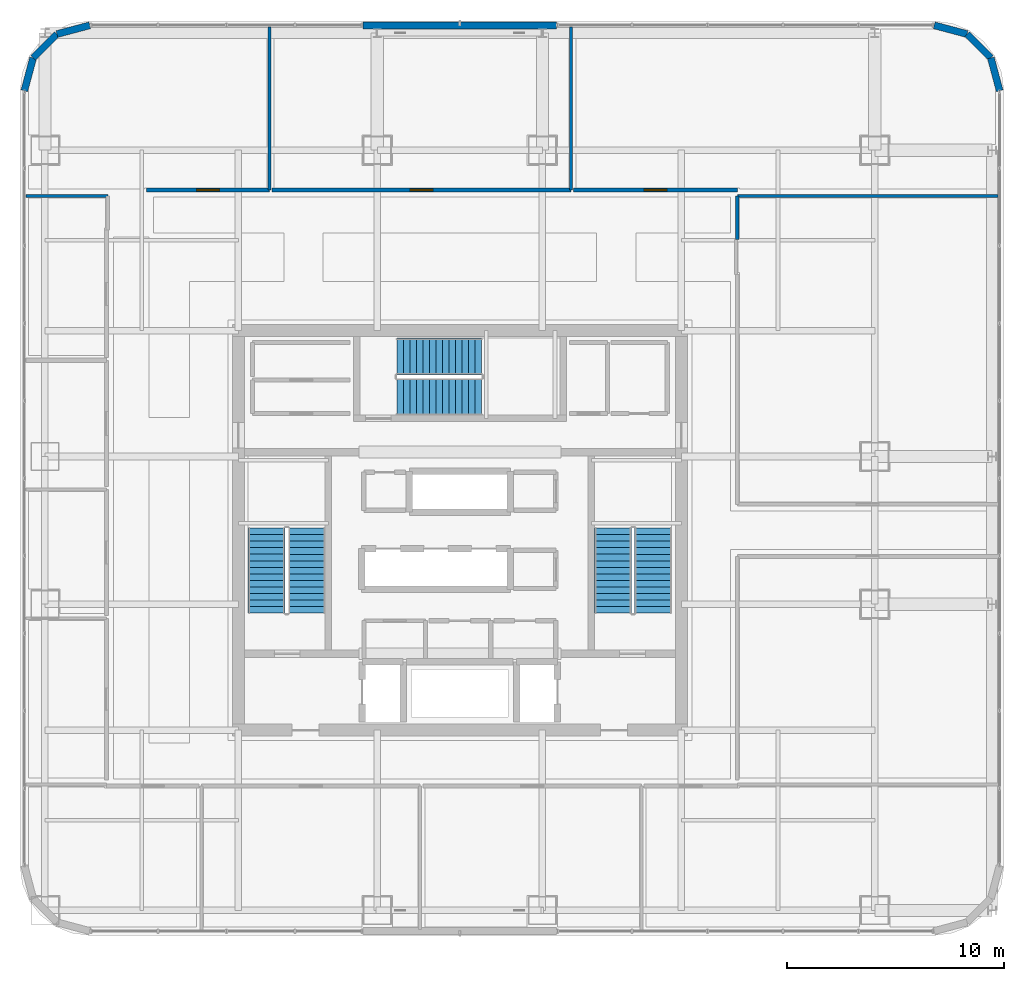
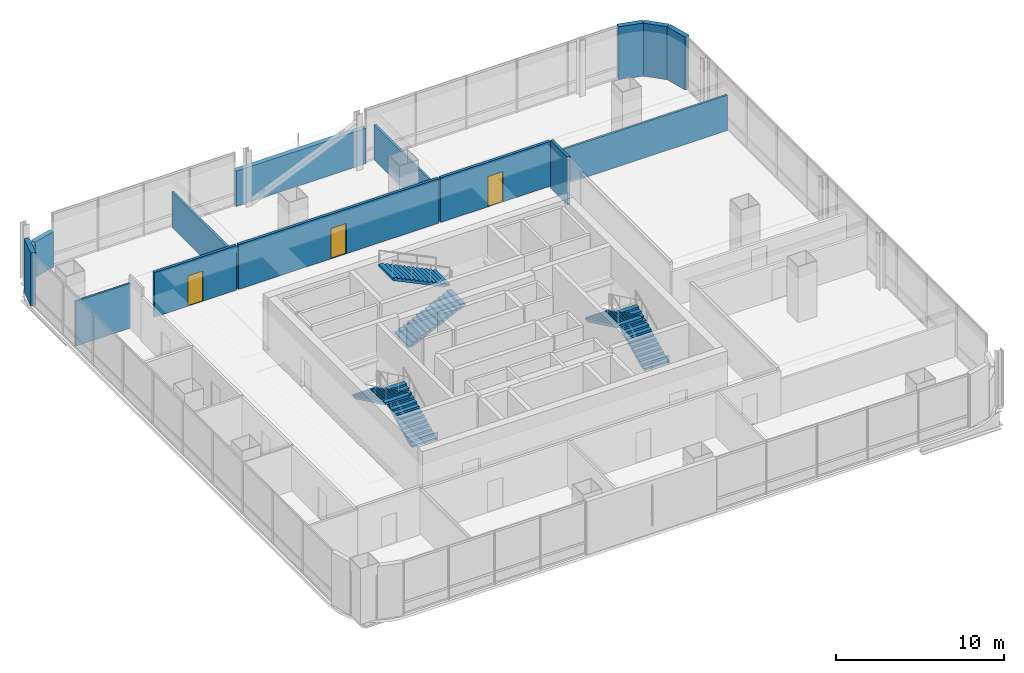
# One storey, part 34 of 44: 15 walls, 6 stair flights, 3 doors, 3 openings, 3 elements without a shape of their own.
"""IFC4 building model written with IfcOpenShell, lengths in metres."""

from ifc_helpers import new_model, si_unit, direction, frame, frame_2d, origin, place, context, subcontext, project, spatial, polyline, rectangle, outline, extrude, material, layer, layer_set, type_object, element, fill, aggregate, save


model = new_model("IFC4")

# Units and contexts
model_context = context("Model", 3, precision=1e-05, world=origin(), true_north=direction((0.0, 1.0)))
body_context = subcontext(model_context, "Body", "Model", "MODEL_VIEW")
ifc_project = project(units=[si_unit("LENGTHUNIT", "METRE"), si_unit("AREAUNIT", "SQUARE_METRE"), si_unit("VOLUMEUNIT", "CUBIC_METRE"), si_unit("PLANEANGLEUNIT", "RADIAN"), si_unit("MASSUNIT", "GRAM", prefix="KILO")], contexts=[model_context])

# Site, building, storey
site_placement = place(None, origin())
site = spatial("IfcSite", under=ifc_project, at=site_placement, CompositionType="ELEMENT")
building_placement = place(site_placement, origin())
building = spatial("IfcBuilding", under=site, at=building_placement, Name="Punatoya Terracotta Tower", CompositionType="ELEMENT")
storey_placement = place(building_placement, frame((0.0, 0.0, 267.60009765625)))
storey = spatial("IfcBuildingStorey", under=building, at=storey_placement, Name="L63", CompositionType="ELEMENT", Elevation=267.60009765625)

# Wall
ifc_material_1 = material(Name="Gypsum Fireboard + Steel Stud", Category="steel")
ifc_layer_1 = layer(ifc_material_1, 0.179931640625)
ifc_layer_set_1 = layer_set([ifc_layer_1], Name="Gypsum Fireboard + Steel Stud")
wall_type_1 = type_object("IfcWallType", Name="WL-CORR-180", PredefinedType="PARTITIONING", material=ifc_layer_set_1)
wall_1_placement = place(storey_placement, frame((12.77001953125, 13.3798828125, 0.0), z_axis=(0.0, 0.0, 1.0), x_axis=(0.0, 1.0, 0.0)))
element("IfcWall", 1, at=wall_1_placement, inside=storey, type_object=wall_type_1, Name="L63 Hydrology Modelling Laboratory Partition 48", PredefinedType="PARTITIONING", context=body_context, shape_type="SweptSolid", body=[
    extrude(rectangle(XDim=2.010009765625, YDim=0.179931640625, at=frame_2d((1.0048828125, 0.0))), origin(), (0.0, 0.0, 1.0), 3.48388671875),
])

# Wall, opening, door
wall_2_placement = place(storey_placement, frame((-8.77197265625, 15.669921875, 0.0), z_axis=(0.0, 0.0, 1.0), x_axis=(-1.0, 0.0, 0.0)))
wall_2 = element("IfcWall", 2, at=wall_2_placement, inside=storey, type_object=wall_type_1, Name="L63 Open-Plan Computational Simulation Laboratory Partition 54", PredefinedType="PARTITIONING", context=body_context, shape_type="SweptSolid", body=[
    extrude(rectangle(XDim=5.64794921875, YDim=0.179931640625, at=frame_2d((2.823974609375, 0.0))), origin(), (0.0, 0.0, 1.0), 3.243896484375),
])
opening_1_placement = place(wall_2_placement, frame((2.299072265625, 0.0, 0.0)))
opening_1 = element("IfcOpeningElement", 3, at=opening_1_placement, cuts=wall_2, Name="Opening OD-01", PredefinedType="OPENING", context=body_context, shape_type="SweptSolid", body=[
    extrude(rectangle(XDim=1.050048828125, YDim=2.199951171875, at=frame_2d((0.52490234375, 1.10009765625))), frame((0.0, 0.099853515625, 0.0), z_axis=(0.0, -1.0, 0.0), x_axis=(1.0, 0.0, 0.0)), (0.0, 0.0, 1.0), 0.199951171875),
])
ifc_material_2 = material(Name="Bengal Teak Solid-Core Leaf")
door_type = type_object("IfcDoorType", Name="DR-OFF-1050", OperationType="NOTDEFINED", PredefinedType="DOOR", material=ifc_material_2)
door_1_placement = place(opening_1_placement, origin())
door_1 = element("IfcDoor", 4, at=door_1_placement, inside=storey, type_object=door_type, Name="L63 Open-Plan Computational Simulation Laboratory Door", OperationType="SINGLE_SWING_LEFT", OverallHeight=2.199951171875, OverallWidth=1.050048828125, PredefinedType="DOOR", context=body_context, shape_type="SweptSolid", body=[
    extrude(rectangle(XDim=1.050048828125, YDim=2.199951171875, at=frame_2d((0.52490234375, 1.10009765625))), frame((0.0, 0.02490234375, 0.0), z_axis=(0.0, -1.0, 0.0), x_axis=(1.0, 0.0, 0.0)), (0.0, 0.0, 1.0), 0.050048828125),
])
fill(opening_1, door_1)

wall_3_placement = place(storey_placement, frame((5.117919921875, 15.669921875, 0.0), z_axis=(0.0, 0.0, 1.0), x_axis=(-1.0, 0.0, 0.0)))
wall_3 = element("IfcWall", 5, at=wall_3_placement, inside=storey, type_object=wall_type_1, Name="L63 Open-Plan Cartography Reference Library Partition 56", PredefinedType="PARTITIONING", context=body_context, shape_type="SweptSolid", body=[
    extrude(rectangle(XDim=13.77001953125, YDim=0.179931640625, at=frame_2d((6.885009765625, 0.0))), origin(), (0.0, 0.0, 1.0), 3.243896484375),
])
opening_2_placement = place(wall_3_placement, frame((6.360107421875, 0.0, 0.0)))
opening_2 = element("IfcOpeningElement", 6, at=opening_2_placement, cuts=wall_3, Name="Opening OD-01", PredefinedType="OPENING", context=body_context, shape_type="SweptSolid", body=[
    extrude(rectangle(XDim=1.050048828125, YDim=2.199951171875, at=frame_2d((0.52490234375, 1.10009765625))), frame((0.0, 0.099853515625, 0.0), z_axis=(0.0, -1.0, 0.0), x_axis=(1.0, 0.0, 0.0)), (0.0, 0.0, 1.0), 0.199951171875),
])
door_2_placement = place(opening_2_placement, origin())
door_2 = element("IfcDoor", 7, at=door_2_placement, inside=storey, type_object=door_type, Name="L63 Open-Plan Cartography Reference Library Door", OperationType="SINGLE_SWING_RIGHT", OverallHeight=2.199951171875, OverallWidth=1.050048828125, PredefinedType="DOOR", context=body_context, shape_type="SweptSolid", body=[
    extrude(rectangle(XDim=1.050048828125, YDim=2.199951171875, at=frame_2d((0.52490234375, 1.10009765625))), frame((0.0, 0.02490234375, 0.0), z_axis=(0.0, -1.0, 0.0), x_axis=(1.0, 0.0, 0.0)), (0.0, 0.0, 1.0), 0.050048828125),
])
fill(opening_2, door_2)

wall_4_placement = place(storey_placement, frame((12.77001953125, 15.669921875, 0.0), z_axis=(0.0, 0.0, 1.0), x_axis=(-1.0, 0.0, 0.0)))
wall_4 = element("IfcWall", 8, at=wall_4_placement, inside=storey, type_object=wall_type_1, Name="L63 Open-Plan Materials Testing Laboratory Partition 57", PredefinedType="PARTITIONING", context=body_context, shape_type="SweptSolid", body=[
    extrude(rectangle(XDim=7.531982421875, YDim=0.179931640625, at=frame_2d((3.76611328125, 0.0))), origin(), (0.0, 0.0, 1.0), 3.243896484375),
])
opening_3_placement = place(wall_4_placement, frame((3.240966796875, 0.0, 0.0)))
opening_3 = element("IfcOpeningElement", 9, at=opening_3_placement, cuts=wall_4, Name="Opening OD-01", PredefinedType="OPENING", context=body_context, shape_type="SweptSolid", body=[
    extrude(rectangle(XDim=1.050048828125, YDim=2.199951171875, at=frame_2d((0.52490234375, 1.10009765625))), frame((0.0, 0.099853515625, 0.0), z_axis=(0.0, -1.0, 0.0), x_axis=(1.0, 0.0, 0.0)), (0.0, 0.0, 1.0), 0.199951171875),
])
door_3_placement = place(opening_3_placement, origin())
door_3 = element("IfcDoor", 10, at=door_3_placement, inside=storey, type_object=door_type, Name="L63 Open-Plan Materials Testing Laboratory Door", OperationType="SINGLE_SWING_LEFT", OverallHeight=2.199951171875, OverallWidth=1.050048828125, PredefinedType="DOOR", context=body_context, shape_type="SweptSolid", body=[
    extrude(rectangle(XDim=1.050048828125, YDim=2.199951171875, at=frame_2d((0.52490234375, 1.10009765625))), frame((0.0, 0.02490234375, 0.0), z_axis=(0.0, -1.0, 0.0), x_axis=(1.0, 0.0, 0.0)), (0.0, 0.0, 1.0), 0.050048828125),
])
fill(opening_3, door_3)

# Walls
ifc_material_3 = material(Name="Precast concrete C40/50", Category="concrete")
ifc_layer_2 = layer(ifc_material_3, 0.320068359375)
ifc_layer_set_2 = layer_set([ifc_layer_2], Name="Precast concrete C40/50")
wall_type_2 = type_object("IfcWallType", Name="WL-EXT-320", PredefinedType="SOLIDWALL", material=ifc_layer_set_2)
wall_5_placement = place(storey_placement, frame((24.85009765625, 20.23681640625, 0.0), z_axis=(0.0, 0.0, 1.0), x_axis=(-0.257847112249, 0.966185730957, 0.0)))
element("IfcWall", 11, at=wall_5_placement, inside=storey, type_object=wall_type_2, Name="L63 Rounded Terracotta Corner Pier 06", PredefinedType="SOLIDWALL", context=body_context, shape_type="SweptSolid", body=[
    extrude(rectangle(XDim=1.565185546875, YDim=0.320068359375, at=frame_2d((0.78271484375, 0.0))), origin(), (0.0, 0.0, 1.0), 3.849853515625),
])
wall_6_placement = place(storey_placement, frame((24.446533203125, 21.7490234375, 0.0), z_axis=(0.0, 0.0, 1.0), x_axis=(-0.707028130747, 0.707185422879, 0.0)))
element("IfcWall", 12, at=wall_6_placement, inside=storey, type_object=wall_type_2, Name="L63 Rounded Terracotta Corner Pier 07", PredefinedType="SOLIDWALL", context=body_context, shape_type="SweptSolid", body=[
    extrude(rectangle(XDim=1.55224609375, YDim=0.320068359375, at=frame_2d((0.776123046875, 0.0))), origin(), (0.0, 0.0, 1.0), 3.849853515625),
])
wall_7_placement = place(storey_placement, frame((23.34912109375, 22.8466796875, 0.0), z_axis=(0.0, 0.0, 1.0), x_axis=(-0.966224582397, 0.257701486942, 0.0)))
element("IfcWall", 13, at=wall_7_placement, inside=storey, type_object=wall_type_2, Name="L63 Rounded Terracotta Corner Pier 08", PredefinedType="SOLIDWALL", context=body_context, shape_type="SweptSolid", body=[
    extrude(rectangle(XDim=1.565185546875, YDim=0.320068359375, at=frame_2d((0.78271484375, 0.0))), origin(), (0.0, 0.0, 1.0), 3.849853515625),
])
wall_8_placement = place(storey_placement, frame((4.449951171875, 23.25, 0.0), z_axis=(0.0, 0.0, 1.0), x_axis=(-1.0, 0.0, 0.0)))
element("IfcWall", 14, at=wall_8_placement, inside=storey, type_object=wall_type_2, Name="L63 Terracotta Braced Facade Wall N1", PredefinedType="SOLIDWALL", context=body_context, shape_type="SweptSolid", body=[
    extrude(rectangle(XDim=8.89990234375, YDim=0.320068359375, at=frame_2d((4.449951171875, 0.0))), origin(), (0.0, 0.0, 1.0), 2.56396484375),
])
wall_9_placement = place(storey_placement, frame((-17.036865234375, 23.25, 0.0), z_axis=(0.0, 0.0, 1.0), x_axis=(-0.966224582397, -0.257701486942, 0.0)))
element("IfcWall", 15, at=wall_9_placement, inside=storey, type_object=wall_type_2, Name="L63 Rounded Terracotta Corner Pier 10", PredefinedType="SOLIDWALL", context=body_context, shape_type="SweptSolid", body=[
    extrude(rectangle(XDim=1.565185546875, YDim=0.320068359375, at=frame_2d((0.78271484375, 0.0))), origin(), (0.0, 0.0, 1.0), 2.56396484375),
])
wall_10_placement = place(storey_placement, frame((-18.549072265625, 22.8466796875, 0.0), z_axis=(0.0, 0.0, 1.0), x_axis=(-0.707028130747, -0.707185422879, 0.0)))
element("IfcWall", 16, at=wall_10_placement, inside=storey, type_object=wall_type_2, Name="L63 Rounded Terracotta Corner Pier 11", PredefinedType="SOLIDWALL", context=body_context, shape_type="SweptSolid", body=[
    extrude(rectangle(XDim=1.55224609375, YDim=0.320068359375, at=frame_2d((0.776123046875, 0.0))), origin(), (0.0, 0.0, 1.0), 2.52392578125),
])
wall_11_placement = place(storey_placement, frame((-19.646484375, 21.7490234375, 0.0), z_axis=(0.0, 0.0, 1.0), x_axis=(-0.257847112249, -0.966185730957, 0.0)))
element("IfcWall", 17, at=wall_11_placement, inside=storey, type_object=wall_type_2, Name="L63 Rounded Terracotta Corner Pier 12", PredefinedType="SOLIDWALL", context=body_context, shape_type="SweptSolid", body=[
    extrude(rectangle(XDim=1.565185546875, YDim=0.320068359375, at=frame_2d((0.78271484375, 0.0))), origin(), (0.0, 0.0, 1.0), 3.849853515625),
])
ifc_material_4 = material(Name="Acoustic Gypsum + Steel Stud", Category="steel")
ifc_layer_3 = layer(ifc_material_4, 0.139892578125)
ifc_layer_set_3 = layer_set([ifc_layer_3], Name="Acoustic Gypsum + Steel Stud")
wall_type_3 = type_object("IfcWallType", Name="WL-OFF-140", PredefinedType="PARTITIONING", material=ifc_layer_set_3)
wall_12_placement = place(storey_placement, frame((12.77001953125, 15.389892578125, 0.0), z_axis=(0.0, 0.0, 1.0), x_axis=(1.0, 0.0, 0.0)))
element("IfcWall", 18, at=wall_12_placement, inside=storey, type_object=wall_type_3, Name="L63 Hydrology Modelling Laboratory Partition 49", PredefinedType="PARTITIONING", context=body_context, shape_type="SweptSolid", body=[
    extrude(rectangle(XDim=12.0, YDim=0.139892578125, at=frame_2d((6.0, 0.0))), origin(), (0.0, 0.0, 1.0), 2.56396484375),
])
wall_13_placement = place(storey_placement, frame((-19.969970703125, 15.389892578125, 0.0), z_axis=(0.0, 0.0, 1.0), x_axis=(1.0, 0.0, 0.0)))
element("IfcWall", 19, at=wall_13_placement, inside=storey, type_object=wall_type_3, Name="L63 Urban Analytics Laboratory Partition 50", PredefinedType="PARTITIONING", context=body_context, shape_type="SweptSolid", body=[
    extrude(rectangle(XDim=3.760009765625, YDim=0.139892578125, at=frame_2d((1.8798828125, 0.0))), origin(), (0.0, 0.0, 1.0), 3.243896484375),
])
for number, where, z_axis, x_axis, name in (
    (20, (-8.77197265625, 23.169921875, 0.0), (0.0, 0.0, 1.0), (0.0, -1.0, 0.0), "L63 Open-Plan Computational Simulation Laboratory Partition 53"),
    (21, (5.117919921875, 23.169921875, 0.0), (0.0, 0.0, 1.0), (0.0, -1.0, 0.0), "L63 Open-Plan Cartography Reference Library Partition 55"),
):
    element("IfcWall", number, at=place(storey_placement, frame(where, z_axis=z_axis, x_axis=x_axis)), inside=storey, type_object=wall_type_3, Name=name, PredefinedType="PARTITIONING", context=body_context, shape_type="SweptSolid", body=[
        extrude(rectangle(XDim=7.5, YDim=0.139892578125, at=frame_2d((3.75, 0.0))), origin(), (0.0, 0.0, 1.0), 2.56396484375),
    ])

# Stair, stair flights
ifc_material_5 = material(Name="Concrete C40/50", Category="concrete")
stair_type_1 = type_object("IfcStairType", Name="STR-CORE-1550", PredefinedType="HALF_TURN_STAIR", material=ifc_material_5)
stair_1_placement = place(storey_placement, origin())
stair_1 = element("IfcStair", 22, at=stair_1_placement, inside=storey, type_object=stair_type_1, Name="L63 Protected Core Exit Stair ST-1", PredefinedType="HALF_TURN_STAIR")
stair_flight_type_1 = type_object("IfcStairFlightType", Name="SFL-CORE-1550", PredefinedType="STRAIGHT", material=ifc_material_5)
stair_flight_1_placement = place(storey_placement, frame((-7.050048828125, -3.800048828125, 0.0), z_axis=(0.0, 0.0, 1.0), x_axis=(0.0, 1.0, 0.0)))
stair_flight_1 = element("IfcStairFlight", 23, at=stair_flight_1_placement, type_object=stair_flight_type_1, Name="ST-1 flight 1", NumberOfRisers=14, NumberOfTreads=13, PredefinedType="STRAIGHT", RiserHeight=0.144642857, TreadLength=0.3, context=body_context, shape_type="SweptSolid", body=[
    extrude(outline(polyline([(0.0, 0.0), (0.0, 0.14453125), (0.300048828125, 0.14453125), (0.300048828125, 0.289306640625), (0.60009765625, 0.289306640625), (0.60009765625, 0.433837890625), (0.89990234375, 0.433837890625), (0.89990234375, 0.57861328125), (1.199951171875, 0.57861328125), (1.199951171875, 0.72314453125), (1.5, 0.72314453125), (1.5, 0.867919921875), (1.800048828125, 0.867919921875), (1.800048828125, 1.012451171875), (2.10009765625, 1.012451171875), (2.10009765625, 1.1572265625), (2.39990234375, 1.1572265625), (2.39990234375, 1.3017578125), (2.699951171875, 1.3017578125), (2.699951171875, 1.446533203125), (3.0, 1.446533203125), (3.0, 1.591064453125), (3.300048828125, 1.591064453125), (3.300048828125, 1.735595703125), (3.60009765625, 1.735595703125), (3.60009765625, 1.88037109375), (3.89990234375, 1.88037109375), (3.89990234375, 2.02490234375), (3.89990234375, 1.7138671875), (0.34521484375, 0.0), (0.0, 0.0)])), frame((0.0, 0.85009765625, 0.0), z_axis=(0.0, -1.0, 0.0), x_axis=(1.0, 0.0, 0.0)), (0.0, 0.0, 1.0), 1.699951171875),
])
stair_flight_2_placement = place(storey_placement, frame((-8.89990234375, 0.10009765625, 2.02490234375), z_axis=(0.0, 0.0, 1.0), x_axis=(0.0, -1.0, 0.0)))
stair_flight_2 = element("IfcStairFlight", 24, at=stair_flight_2_placement, type_object=stair_flight_type_1, Name="ST-1 flight 2", NumberOfRisers=14, NumberOfTreads=13, PredefinedType="STRAIGHT", RiserHeight=0.144642857, TreadLength=0.3, context=body_context, shape_type="SweptSolid", body=[
    extrude(outline(polyline([(0.0, 0.0), (0.0, 0.14453125), (0.300048828125, 0.14453125), (0.300048828125, 0.289306640625), (0.60009765625, 0.289306640625), (0.60009765625, 0.433837890625), (0.89990234375, 0.433837890625), (0.89990234375, 0.57861328125), (1.199951171875, 0.57861328125), (1.199951171875, 0.72314453125), (1.5, 0.72314453125), (1.5, 0.867919921875), (1.800048828125, 0.867919921875), (1.800048828125, 1.012451171875), (2.10009765625, 1.012451171875), (2.10009765625, 1.1572265625), (2.39990234375, 1.1572265625), (2.39990234375, 1.3017578125), (2.699951171875, 1.3017578125), (2.699951171875, 1.446533203125), (3.0, 1.446533203125), (3.0, 1.591064453125), (3.300048828125, 1.591064453125), (3.300048828125, 1.735595703125), (3.60009765625, 1.735595703125), (3.60009765625, 1.88037109375), (3.89990234375, 1.88037109375), (3.89990234375, 2.02490234375), (3.89990234375, 1.7138671875), (0.34521484375, 0.0), (0.0, 0.0)])), frame((0.0, 0.85009765625, 0.0), z_axis=(0.0, -1.0, 0.0), x_axis=(1.0, 0.0, 0.0)), (0.0, 0.0, 1.0), 1.699951171875),
])
aggregate(stair_1, [stair_flight_1, stair_flight_2])

stair_type_2 = type_object("IfcStairType", Name="STR-LOB-1650", PredefinedType="HALF_TURN_STAIR", material=ifc_material_5)
stair_2_placement = place(storey_placement, origin())
stair_2 = element("IfcStair", 25, at=stair_2_placement, inside=storey, type_object=stair_type_2, Name="L63 Protected Core Exit Stair ST-2", PredefinedType="HALF_TURN_STAIR")
stair_flight_type_2 = type_object("IfcStairFlightType", Name="SFL-LOB-1650", PredefinedType="STRAIGHT", material=ifc_material_5)
stair_flight_3_placement = place(storey_placement, frame((8.89990234375, -3.800048828125, 0.0), z_axis=(0.0, 0.0, 1.0), x_axis=(0.0, 1.0, 0.0)))
stair_flight_3 = element("IfcStairFlight", 26, at=stair_flight_3_placement, type_object=stair_flight_type_2, Name="ST-2 flight 1", NumberOfRisers=14, NumberOfTreads=13, PredefinedType="STRAIGHT", RiserHeight=0.144642857, TreadLength=0.3, context=body_context, shape_type="SweptSolid", body=[
    extrude(outline(polyline([(0.0, 0.0), (0.0, 0.14453125), (0.300048828125, 0.14453125), (0.300048828125, 0.289306640625), (0.60009765625, 0.289306640625), (0.60009765625, 0.433837890625), (0.89990234375, 0.433837890625), (0.89990234375, 0.57861328125), (1.199951171875, 0.57861328125), (1.199951171875, 0.72314453125), (1.5, 0.72314453125), (1.5, 0.867919921875), (1.800048828125, 0.867919921875), (1.800048828125, 1.012451171875), (2.10009765625, 1.012451171875), (2.10009765625, 1.1572265625), (2.39990234375, 1.1572265625), (2.39990234375, 1.3017578125), (2.699951171875, 1.3017578125), (2.699951171875, 1.446533203125), (3.0, 1.446533203125), (3.0, 1.591064453125), (3.300048828125, 1.591064453125), (3.300048828125, 1.735595703125), (3.60009765625, 1.735595703125), (3.60009765625, 1.88037109375), (3.89990234375, 1.88037109375), (3.89990234375, 2.02490234375), (3.89990234375, 1.7138671875), (0.34521484375, 0.0), (0.0, 0.0)])), frame((0.0, 0.85009765625, 0.0), z_axis=(0.0, -1.0, 0.0), x_axis=(1.0, 0.0, 0.0)), (0.0, 0.0, 1.0), 1.699951171875),
])
stair_flight_4_placement = place(storey_placement, frame((7.050048828125, 0.10009765625, 2.02490234375), z_axis=(0.0, 0.0, 1.0), x_axis=(0.0, -1.0, 0.0)))
stair_flight_4 = element("IfcStairFlight", 27, at=stair_flight_4_placement, type_object=stair_flight_type_2, Name="ST-2 flight 2", NumberOfRisers=14, NumberOfTreads=13, PredefinedType="STRAIGHT", RiserHeight=0.144642857, TreadLength=0.3, context=body_context, shape_type="SweptSolid", body=[
    extrude(outline(polyline([(0.0, 0.0), (0.0, 0.14453125), (0.300048828125, 0.14453125), (0.300048828125, 0.289306640625), (0.60009765625, 0.289306640625), (0.60009765625, 0.433837890625), (0.89990234375, 0.433837890625), (0.89990234375, 0.57861328125), (1.199951171875, 0.57861328125), (1.199951171875, 0.72314453125), (1.5, 0.72314453125), (1.5, 0.867919921875), (1.800048828125, 0.867919921875), (1.800048828125, 1.012451171875), (2.10009765625, 1.012451171875), (2.10009765625, 1.1572265625), (2.39990234375, 1.1572265625), (2.39990234375, 1.3017578125), (2.699951171875, 1.3017578125), (2.699951171875, 1.446533203125), (3.0, 1.446533203125), (3.0, 1.591064453125), (3.300048828125, 1.591064453125), (3.300048828125, 1.735595703125), (3.60009765625, 1.735595703125), (3.60009765625, 1.88037109375), (3.89990234375, 1.88037109375), (3.89990234375, 2.02490234375), (3.89990234375, 1.7138671875), (0.34521484375, 0.0), (0.0, 0.0)])), frame((0.0, 0.85009765625, 0.0), z_axis=(0.0, -1.0, 0.0), x_axis=(1.0, 0.0, 0.0)), (0.0, 0.0, 1.0), 1.699951171875),
])
aggregate(stair_2, [stair_flight_3, stair_flight_4])

stair_type_3 = type_object("IfcStairType", Name="STR-TER-1450", PredefinedType="HALF_TURN_STAIR", material=ifc_material_5)
stair_3_placement = place(storey_placement, origin())
stair_3 = element("IfcStair", 28, at=stair_3_placement, inside=storey, type_object=stair_type_3, Name="L63 Protected Core Exit Stair ST-3", PredefinedType="HALF_TURN_STAIR")
stair_flight_type_3 = type_object("IfcStairFlightType", Name="SFL-TER-1450", PredefinedType="STRAIGHT", material=ifc_material_5)
stair_flight_5_placement = place(storey_placement, frame((-2.89990234375, 6.14990234375, 0.0), z_axis=(0.0, 0.0, 1.0), x_axis=(1.0, 0.0, 0.0)))
stair_flight_5 = element("IfcStairFlight", 29, at=stair_flight_5_placement, type_object=stair_flight_type_3, Name="ST-3 flight 1", NumberOfRisers=14, NumberOfTreads=13, PredefinedType="STRAIGHT", RiserHeight=0.144642857, TreadLength=0.3, context=body_context, shape_type="SweptSolid", body=[
    extrude(outline(polyline([(0.0, 0.0), (0.0, 0.14453125), (0.300048828125, 0.14453125), (0.300048828125, 0.289306640625), (0.60009765625, 0.289306640625), (0.60009765625, 0.433837890625), (0.89990234375, 0.433837890625), (0.89990234375, 0.57861328125), (1.199951171875, 0.57861328125), (1.199951171875, 0.72314453125), (1.5, 0.72314453125), (1.5, 0.867919921875), (1.800048828125, 0.867919921875), (1.800048828125, 1.012451171875), (2.10009765625, 1.012451171875), (2.10009765625, 1.1572265625), (2.39990234375, 1.1572265625), (2.39990234375, 1.3017578125), (2.699951171875, 1.3017578125), (2.699951171875, 1.446533203125), (3.0, 1.446533203125), (3.0, 1.591064453125), (3.300048828125, 1.591064453125), (3.300048828125, 1.735595703125), (3.60009765625, 1.735595703125), (3.60009765625, 1.88037109375), (3.89990234375, 1.88037109375), (3.89990234375, 2.02490234375), (3.89990234375, 1.7138671875), (0.34521484375, 0.0), (0.0, 0.0)])), frame((0.0, 0.85009765625, 0.0), z_axis=(0.0, -1.0, 0.0), x_axis=(1.0, 0.0, 0.0)), (0.0, 0.0, 1.0), 1.699951171875),
])
stair_flight_6_placement = place(storey_placement, frame((1.0, 8.0, 2.02490234375), z_axis=(0.0, 0.0, 1.0), x_axis=(-1.0, 0.0, 0.0)))
stair_flight_6 = element("IfcStairFlight", 30, at=stair_flight_6_placement, type_object=stair_flight_type_3, Name="ST-3 flight 2", NumberOfRisers=14, NumberOfTreads=13, PredefinedType="STRAIGHT", RiserHeight=0.144642857, TreadLength=0.3, context=body_context, shape_type="SweptSolid", body=[
    extrude(outline(polyline([(0.0, 0.0), (0.0, 0.14453125), (0.300048828125, 0.14453125), (0.300048828125, 0.289306640625), (0.60009765625, 0.289306640625), (0.60009765625, 0.433837890625), (0.89990234375, 0.433837890625), (0.89990234375, 0.57861328125), (1.199951171875, 0.57861328125), (1.199951171875, 0.72314453125), (1.5, 0.72314453125), (1.5, 0.867919921875), (1.800048828125, 0.867919921875), (1.800048828125, 1.012451171875), (2.10009765625, 1.012451171875), (2.10009765625, 1.1572265625), (2.39990234375, 1.1572265625), (2.39990234375, 1.3017578125), (2.699951171875, 1.3017578125), (2.699951171875, 1.446533203125), (3.0, 1.446533203125), (3.0, 1.591064453125), (3.300048828125, 1.591064453125), (3.300048828125, 1.735595703125), (3.60009765625, 1.735595703125), (3.60009765625, 1.88037109375), (3.89990234375, 1.88037109375), (3.89990234375, 2.02490234375), (3.89990234375, 1.7138671875), (0.34521484375, 0.0), (0.0, 0.0)])), frame((0.0, 0.85009765625, 0.0), z_axis=(0.0, -1.0, 0.0), x_axis=(1.0, 0.0, 0.0)), (0.0, 0.0, 1.0), 1.699951171875),
])
aggregate(stair_3, [stair_flight_5, stair_flight_6])

save(model, "model.ifc")
